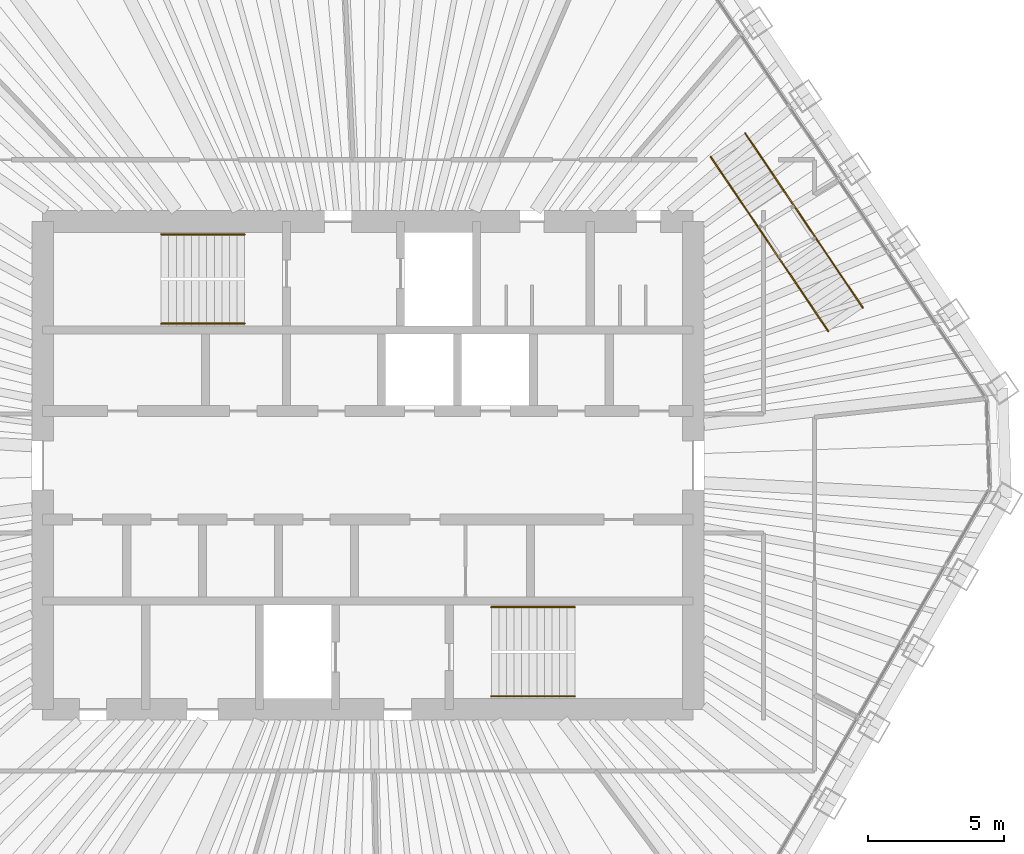
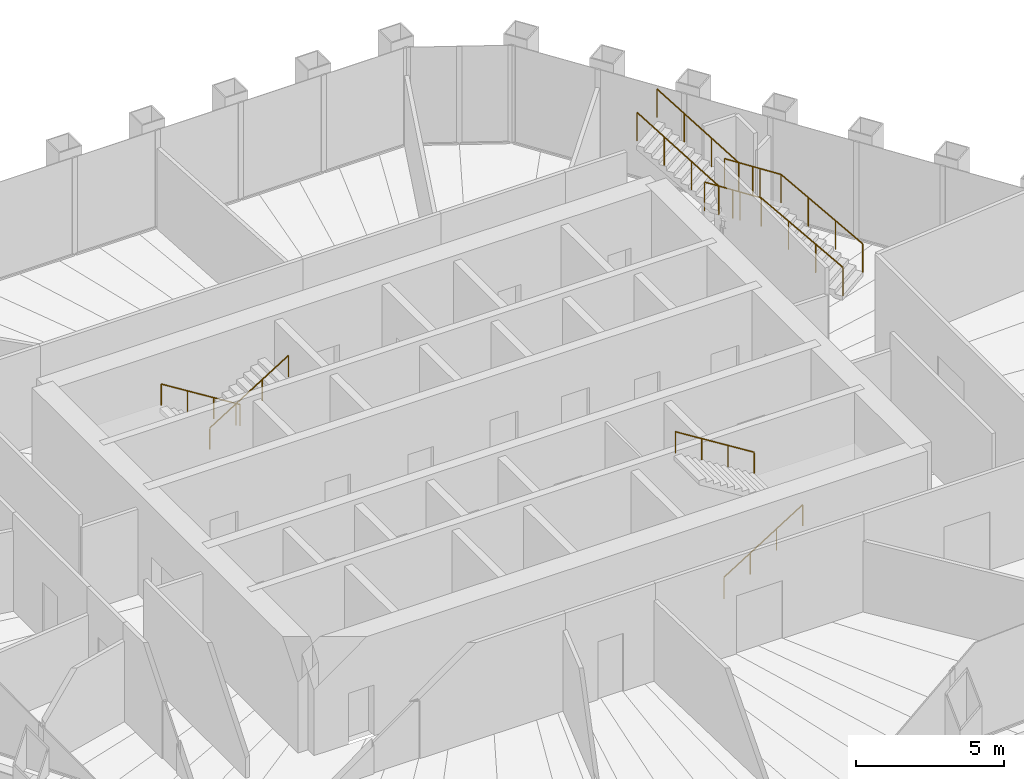
# One storey, part 14 of 14: 8 railings.
"""IFC4 building model written with IfcOpenShell, lengths in metres."""

from ifc_helpers import new_model, si_unit, direction, frame, origin, origin_2d, place, context, subcontext, project, spatial, circle, extrude, material, type_object, element, save


model = new_model("IFC4")

# Units and contexts
model_context = context("Model", 3, precision=1e-05, world=origin(), true_north=direction((0.0, 1.0)))
body_context = subcontext(model_context, "Body", "Model", "MODEL_VIEW")
ifc_project = project(units=[si_unit("LENGTHUNIT", "METRE"), si_unit("AREAUNIT", "SQUARE_METRE"), si_unit("VOLUMEUNIT", "CUBIC_METRE"), si_unit("PLANEANGLEUNIT", "RADIAN"), si_unit("MASSUNIT", "GRAM", prefix="KILO")], contexts=[model_context])

# Site, building, storey
site_placement = place(None, origin())
site = spatial("IfcSite", under=ifc_project, at=site_placement, CompositionType="ELEMENT")
building_placement = place(site_placement, origin())
building = spatial("IfcBuilding", under=site, at=building_placement, Name="Qingtian Harvest Tower", CompositionType="ELEMENT")
storey_placement = place(building_placement, frame((0.0, 0.0, 325.0)))
storey = spatial("IfcBuildingStorey", under=building, at=storey_placement, Name="L72", CompositionType="ELEMENT", Elevation=325.0)

# Railings
ifc_material_1 = material(Name="Laminated glass balustrade with steel handrail", Category="steel")
railing_type_1 = type_object("IfcRailingType", Name="Glass balustrade BG1 1200", PredefinedType="BALUSTRADE", material=ifc_material_1)
railing_1_placement = place(storey_placement, frame((18.258056640625, 5.81396484375, 0.175048828125)))
element("IfcRailing", 1, at=railing_1_placement, inside=storey, type_object=railing_type_1, Name="Feature stair balustrade FS5", PredefinedType="BALUSTRADE", context=body_context, shape_type="SweptSolid", body=[
    extrude(circle(Radius=0.02392578125, at=origin_2d()), frame((0.0, 0.0, 1.17578125), z_axis=(-0.474209310088, 0.703012781603, 0.529998640686), x_axis=(-0.829025981767, -0.559210087137, 0.0)), (0.0, 0.0, 1.0), 3.632080078125),
    extrude(circle(Radius=0.02392578125, at=origin_2d()), frame((-1.722412109375, 2.553466796875, 3.10107421875), z_axis=(-0.559129471496, 0.829080354432, 0.0), x_axis=(-0.829080354432, -0.559129471496, 0.0)), (0.0, 0.0, 1.0), 1.599853515625),
    extrude(circle(Radius=0.02392578125, at=origin_2d()), frame((-2.616943359375, 3.8798828125, 3.10107421875), z_axis=(-0.462048726143, 0.684984780542, 0.563299942389), x_axis=(-0.829025981767, -0.559210087137, 0.0)), (0.0, 0.0, 1.0), 3.727783203125),
    extrude(circle(Radius=0.02099609375, at=origin_2d()), origin(), (0.0, 0.0, 1.0), 1.15185546875),
    extrude(circle(Radius=0.02099609375, at=origin_2d()), frame((-0.57421875, 0.85107421875, 0.6416015625)), (0.0, 0.0, 1.0), 1.15185546875),
    extrude(circle(Radius=0.02099609375, at=origin_2d()), frame((-1.148193359375, 1.702392578125, 1.283447265625)), (0.0, 0.0, 1.0), 1.15185546875),
    extrude(circle(Radius=0.02099609375, at=origin_2d()), frame((-1.722412109375, 2.553466796875, 1.925048828125)), (0.0, 0.0, 1.0), 1.15185546875),
    extrude(circle(Radius=0.02099609375, at=origin_2d()), frame((-2.169677734375, 3.216796875, 1.925048828125)), (0.0, 0.0, 1.0), 1.15185546875),
    extrude(circle(Radius=0.02099609375, at=origin_2d()), frame((-2.616943359375, 3.8798828125, 1.925048828125)), (0.0, 0.0, 1.0), 1.15185546875),
    extrude(circle(Radius=0.02099609375, at=origin_2d()), frame((-3.191162109375, 4.73095703125, 2.625)), (0.0, 0.0, 1.0), 1.15185546875),
    extrude(circle(Radius=0.02099609375, at=origin_2d()), frame((-3.76513671875, 5.582275390625, 3.324951171875)), (0.0, 0.0, 1.0), 1.15185546875),
    extrude(circle(Radius=0.02099609375, at=origin_2d()), frame((-4.33935546875, 6.433349609375, 4.02490234375)), (0.0, 0.0, 1.0), 1.15185546875),
])
railing_2_placement = place(storey_placement, frame((16.981201171875, 4.95263671875, 0.175048828125)))
element("IfcRailing", 2, at=railing_2_placement, inside=storey, type_object=railing_type_1, Name="Feature stair balustrade FS5", PredefinedType="BALUSTRADE", context=body_context, shape_type="SweptSolid", body=[
    extrude(circle(Radius=0.02392578125, at=origin_2d()), frame((0.0, 0.0, 1.17578125), z_axis=(-0.474157206712, 0.703035189254, 0.530015533729), x_axis=(-0.82906272854, -0.559155606379, 0.0)), (0.0, 0.0, 1.0), 3.632080078125),
    extrude(circle(Radius=0.02392578125, at=origin_2d()), frame((-1.72216796875, 2.553466796875, 3.10107421875), z_axis=(-0.55916361753, 0.829057325419, 0.0), x_axis=(-0.829057325419, -0.55916361753, 0.0)), (0.0, 0.0, 1.0), 1.60009765625),
    extrude(circle(Radius=0.02392578125, at=origin_2d()), frame((-2.616943359375, 3.880126953125, 3.10107421875), z_axis=(-0.462017940776, 0.684970743498, 0.563342260932), x_axis=(-0.829037942599, -0.559192354857, 0.0)), (0.0, 0.0, 1.0), 3.7275390625),
    extrude(circle(Radius=0.02099609375, at=origin_2d()), origin(), (0.0, 0.0, 1.0), 1.15185546875),
    extrude(circle(Radius=0.02099609375, at=origin_2d()), frame((-0.573974609375, 0.85107421875, 0.6416015625)), (0.0, 0.0, 1.0), 1.15185546875),
    extrude(circle(Radius=0.02099609375, at=origin_2d()), frame((-1.148193359375, 1.702392578125, 1.283447265625)), (0.0, 0.0, 1.0), 1.15185546875),
    extrude(circle(Radius=0.02099609375, at=origin_2d()), frame((-1.72216796875, 2.553466796875, 1.925048828125)), (0.0, 0.0, 1.0), 1.15185546875),
    extrude(circle(Radius=0.02099609375, at=origin_2d()), frame((-2.16943359375, 3.216796875, 1.925048828125)), (0.0, 0.0, 1.0), 1.15185546875),
    extrude(circle(Radius=0.02099609375, at=origin_2d()), frame((-2.616943359375, 3.880126953125, 1.925048828125)), (0.0, 0.0, 1.0), 1.15185546875),
    extrude(circle(Radius=0.02099609375, at=origin_2d()), frame((-3.19091796875, 4.731201171875, 2.625)), (0.0, 0.0, 1.0), 1.15185546875),
    extrude(circle(Radius=0.02099609375, at=origin_2d()), frame((-3.76513671875, 5.582275390625, 3.324951171875)), (0.0, 0.0, 1.0), 1.15185546875),
    extrude(circle(Radius=0.02099609375, at=origin_2d()), frame((-4.339111328125, 6.433349609375, 4.02490234375)), (0.0, 0.0, 1.0), 1.15185546875),
])
ifc_material_2 = material(Name="Bronze-finished steel guard", Category="steel")
railing_type_2 = type_object("IfcRailingType", Name="Guard GR1 1200", PredefinedType="GUARDRAIL", material=ifc_material_2)
for number, where, name in (
    (3, (16.53564453125, 8.367431640625, 2.10009765625), "Feature stair landing guard FS5"),
    (4, (15.259033203125, 7.506103515625, 2.10009765625), "Feature stair landing guard FS5"),
):
    element("IfcRailing", number, at=place(storey_placement, frame(where)), inside=storey, type_object=railing_type_2, Name=name, PredefinedType="GUARDRAIL", context=body_context, shape_type="SweptSolid", body=[
        extrude(circle(Radius=0.02392578125, at=origin_2d()), frame((0.0, 0.0, 1.17578125), z_axis=(-0.559178226166, 0.829047472333, 0.0), x_axis=(-0.829047472333, -0.559178226166, 0.0)), (0.0, 0.0, 1.0), 2.135009765625),
        extrude(circle(Radius=0.02099609375, at=origin_2d()), origin(), (0.0, 0.0, 1.0), 1.15185546875),
        extrude(circle(Radius=0.02099609375, at=origin_2d()), frame((-0.596923828125, 0.885009765625, 0.0)), (0.0, 0.0, 1.0), 1.15185546875),
        extrude(circle(Radius=0.02099609375, at=origin_2d()), frame((-1.19384765625, 1.77001953125, 0.0)), (0.0, 0.0, 1.0), 1.15185546875),
    ])
ifc_material_3 = material(Name="Stainless steel handrail", Category="steel")
railing_type_3 = type_object("IfcRailingType", Name="Handrail HR1", PredefinedType="HANDRAIL", material=ifc_material_3)
railing_3_placement = place(storey_placement, frame((-4.550048828125, 8.52001953125, 0.175048828125)))
element("IfcRailing", 5, at=railing_3_placement, inside=storey, type_object=railing_type_3, Name="Handrail HR1 S1 flight 1", PredefinedType="HANDRAIL", context=body_context, shape_type="SweptSolid", body=[
    extrude(circle(Radius=0.02392578125, at=origin_2d()), frame((0.0, 0.0, 0.8759765625), z_axis=(-0.847979421464, 0.0, 0.530029150871), x_axis=(0.0, -1.0, 0.0)), (0.0, 0.0, 1.0), 3.632080078125),
    extrude(circle(Radius=0.02099609375, at=origin_2d()), origin(), (0.0, 0.0, 1.0), 0.851806640625),
    extrude(circle(Radius=0.02099609375, at=origin_2d()), frame((-1.026611328125, 0.0, 0.6416015625)), (0.0, 0.0, 1.0), 0.851806640625),
    extrude(circle(Radius=0.02099609375, at=origin_2d()), frame((-2.05322265625, 0.0, 1.283447265625)), (0.0, 0.0, 1.0), 0.851806640625),
    extrude(circle(Radius=0.02099609375, at=origin_2d()), frame((-3.079833984375, 0.0, 1.925048828125)), (0.0, 0.0, 1.0), 0.851806640625),
])
for number, where, name in (
    (6, (-7.6298828125, 5.22998046875, 2.27490234375), "Handrail HR1 S1 flight 2"),
    (7, (4.550048828125, -8.52001953125, 0.175048828125), "Handrail HR1 S2 flight 1"),
):
    element("IfcRailing", number, at=place(storey_placement, frame(where)), inside=storey, type_object=railing_type_3, Name=name, PredefinedType="HANDRAIL", context=body_context, shape_type="SweptSolid", body=[
        extrude(circle(Radius=0.02392578125, at=origin_2d()), frame((0.0, 0.0, 0.8759765625), z_axis=(0.847979421464, 0.0, 0.530029150871), x_axis=(0.0, 1.0, 0.0)), (0.0, 0.0, 1.0), 3.632080078125),
        extrude(circle(Radius=0.02099609375, at=origin_2d()), origin(), (0.0, 0.0, 1.0), 0.851806640625),
        extrude(circle(Radius=0.02099609375, at=origin_2d()), frame((1.026611328125, 0.0, 0.6416015625)), (0.0, 0.0, 1.0), 0.851806640625),
        extrude(circle(Radius=0.02099609375, at=origin_2d()), frame((2.05322265625, 0.0, 1.283447265625)), (0.0, 0.0, 1.0), 0.851806640625),
        extrude(circle(Radius=0.02099609375, at=origin_2d()), frame((3.079833984375, 0.0, 1.925048828125)), (0.0, 0.0, 1.0), 0.851806640625),
    ])
railing_4_placement = place(storey_placement, frame((7.6298828125, -5.22998046875, 2.27490234375)))
element("IfcRailing", 8, at=railing_4_placement, inside=storey, type_object=railing_type_3, Name="Handrail HR1 S2 flight 2", PredefinedType="HANDRAIL", context=body_context, shape_type="SweptSolid", body=[
    extrude(circle(Radius=0.02392578125, at=origin_2d()), frame((0.0, 0.0, 0.8759765625), z_axis=(-0.847979421464, 0.0, 0.530029150871), x_axis=(0.0, -1.0, 0.0)), (0.0, 0.0, 1.0), 3.632080078125),
    extrude(circle(Radius=0.02099609375, at=origin_2d()), origin(), (0.0, 0.0, 1.0), 0.851806640625),
    extrude(circle(Radius=0.02099609375, at=origin_2d()), frame((-1.026611328125, 0.0, 0.6416015625)), (0.0, 0.0, 1.0), 0.851806640625),
    extrude(circle(Radius=0.02099609375, at=origin_2d()), frame((-2.05322265625, 0.0, 1.283447265625)), (0.0, 0.0, 1.0), 0.851806640625),
    extrude(circle(Radius=0.02099609375, at=origin_2d()), frame((-3.079833984375, 0.0, 1.925048828125)), (0.0, 0.0, 1.0), 0.851806640625),
])

save(model, "model.ifc")
